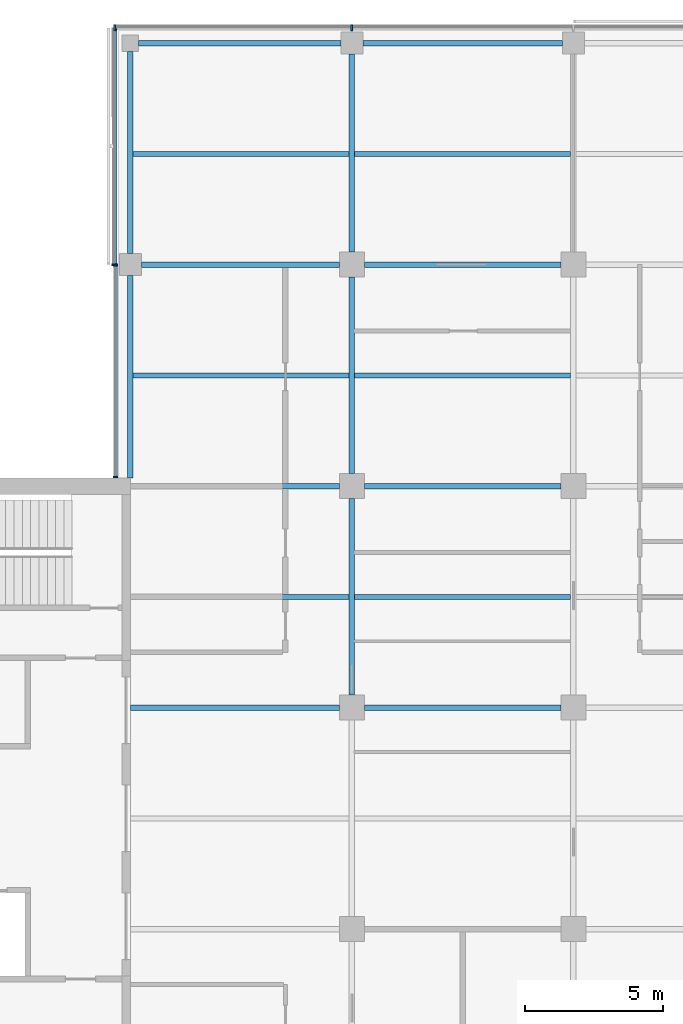
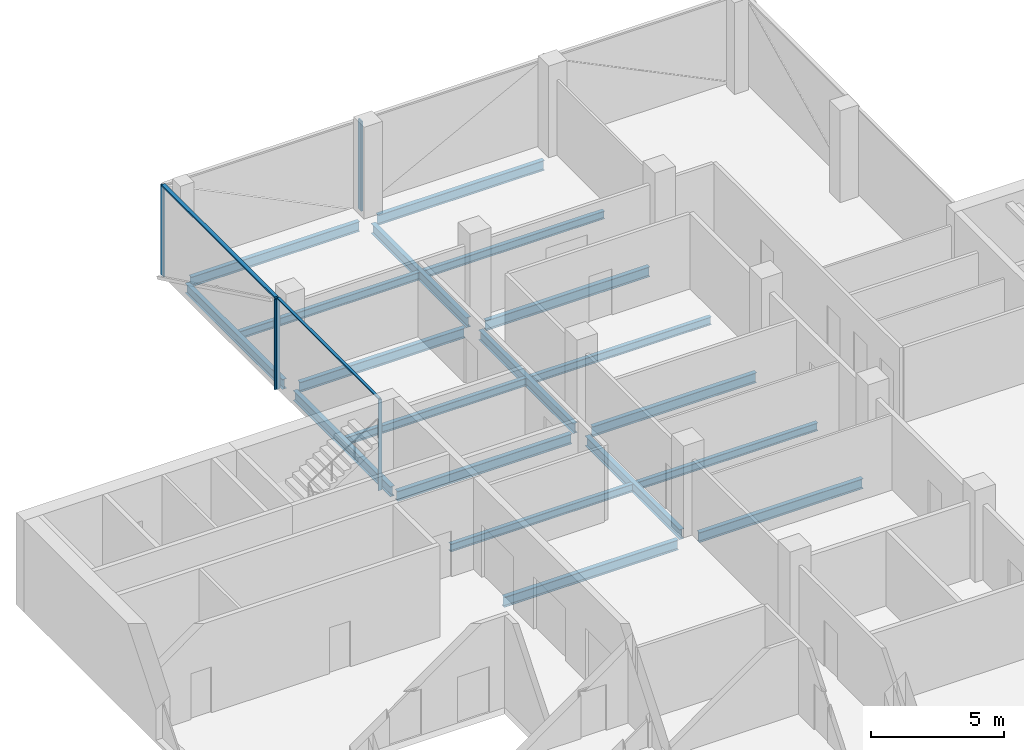
# One storey, part 5 of 15: 19 beams, 7 members, 3 elements without a shape of their own.
"""IFC4 building model written with IfcOpenShell, lengths in metres."""

from ifc_helpers import new_model, si_unit, direction, frame, origin, origin_2d, place, context, subcontext, project, spatial, rectangle, i_section, extrude, material, material_profile, profile_set, type_object, element, aggregate, save


model = new_model("IFC4")

# Units and contexts
model_context = context("Model", 3, precision=1e-05, world=origin(), true_north=direction((0.0, 1.0)))
body_context = subcontext(model_context, "Body", "Model", "MODEL_VIEW")
ifc_project = project(units=[si_unit("LENGTHUNIT", "METRE"), si_unit("AREAUNIT", "SQUARE_METRE"), si_unit("VOLUMEUNIT", "CUBIC_METRE"), si_unit("PLANEANGLEUNIT", "RADIAN"), si_unit("MASSUNIT", "GRAM", prefix="KILO")], contexts=[model_context])

# Site, building, storey
site_placement = place(None, origin())
site = spatial("IfcSite", under=ifc_project, at=site_placement, CompositionType="ELEMENT")
building_placement = place(site_placement, origin())
building = spatial("IfcBuilding", under=site, at=building_placement, Name="Crosswind Convention Tower", CompositionType="ELEMENT")
storey_placement = place(building_placement, frame((0.0, 0.0, 220.89990234375)))
storey = spatial("IfcBuildingStorey", under=building, at=storey_placement, Name="L47", CompositionType="ELEMENT", Elevation=220.89990234375)

# Beams
ifc_material_1 = material(Name="Steel S355", Category="steel")
ifc_material_profile_1 = material_profile(ifc_material_1, i_section(OverallWidth=0.18994140625, OverallDepth=0.45361328125, WebThickness=0.008544921875, FlangeThickness=0.0126953125, FilletRadius=0.01025390625, at=origin_2d()), Name="UB 457x191x67")
ifc_profile_set_1 = profile_set([ifc_material_profile_1], Name="Steel S355")
beam_type_1 = type_object("IfcBeamType", Name="Edge beam UB 457x191x67", PredefinedType="SPANDREL", material=ifc_profile_set_1)
for number, where, z_axis, x_axis, name in (
    (1, (113.0, 112.300048828125, -0.526611328125), (0.0, 1.0, 0.0), (-1.0, 0.0, 0.0), "B16 L47 edge beam 3"),
    (2, (113.0, 120.39990234375, -0.526611328125), (0.0, 1.0, 0.0), (-1.0, 0.0, 0.0), "B16 L47 edge beam 4"),
    (3, (113.300048828125, 128.0, -0.526611328125), (1.0, 0.0, 0.0), (0.0, 1.0, 0.0), "B16 L47 edge beam 6"),
):
    element("IfcBeam", number, at=place(storey_placement, frame(where, z_axis=z_axis, x_axis=x_axis)), inside=storey, type_object=beam_type_1, Name=name, PredefinedType="SPANDREL", context=body_context, shape_type="SweptSolid", body=[
        extrude(i_section(OverallWidth=0.18994140625, OverallDepth=0.45361328125, WebThickness=0.008544921875, FlangeThickness=0.0126953125, FilletRadius=0.01025390625, at=origin_2d()), origin(), (0.0, 0.0, 1.0), 7.300048828125),
    ])
beam_1_placement = place(storey_placement, frame((121.39990234375, 128.0, -0.526611328125), z_axis=(1.0, 0.0, 0.0), x_axis=(0.0, 1.0, 0.0)))
element("IfcBeam", 4, at=beam_1_placement, inside=storey, type_object=beam_type_1, Name="B16 L47 edge beam 8", PredefinedType="SPANDREL", context=body_context, shape_type="SweptSolid", body=[
    extrude(i_section(OverallWidth=0.18994140625, OverallDepth=0.45361328125, WebThickness=0.008544921875, FlangeThickness=0.0126953125, FilletRadius=0.01025390625, at=origin_2d()), origin(), (0.0, 0.0, 1.0), 7.2001953125),
])
ifc_material_profile_2 = material_profile(ifc_material_1, i_section(OverallWidth=0.1904296875, OverallDepth=0.457275390625, WebThickness=0.009033203125, FlangeThickness=0.014404296875, FilletRadius=0.01025390625, at=origin_2d()), Name="UB 457x191x75")
ifc_profile_set_2 = profile_set([ifc_material_profile_2], Name="Steel S355")
beam_type_2 = type_object("IfcBeamType", Name="Girder UB 457x191x75", PredefinedType="BEAM", material=ifc_profile_set_2)
beam_2_placement = place(storey_placement, frame((113.39990234375, 120.0, -0.528564453125), z_axis=(1.0, 0.0, 0.0), x_axis=(0.0, 1.0, 0.0)))
element("IfcBeam", 5, at=beam_2_placement, inside=storey, type_object=beam_type_2, Name="B2 L47 girder 2", PredefinedType="BEAM", context=body_context, shape_type="SweptSolid", body=[
    extrude(i_section(OverallWidth=0.1904296875, OverallDepth=0.457275390625, WebThickness=0.009033203125, FlangeThickness=0.014404296875, FilletRadius=0.01025390625, at=origin_2d()), origin(), (0.0, 0.0, 1.0), 7.150146484375),
])
for number, where, z_axis, x_axis, name in (
    (6, (121.0, 104.449951171875, -0.528564453125), (0.0, 1.0, 0.0), (-1.0, 0.0, 0.0), "B2 L47 girder 7"),
    (7, (121.0, 112.449951171875, -0.528564453125), (0.0, 1.0, 0.0), (-1.0, 0.0, 0.0), "B2 L47 girder 8"),
):
    element("IfcBeam", number, at=place(storey_placement, frame(where, z_axis=z_axis, x_axis=x_axis)), inside=storey, type_object=beam_type_2, Name=name, PredefinedType="BEAM", context=body_context, shape_type="SweptSolid", body=[
        extrude(i_section(OverallWidth=0.1904296875, OverallDepth=0.457275390625, WebThickness=0.009033203125, FlangeThickness=0.014404296875, FilletRadius=0.01025390625, at=origin_2d()), origin(), (0.0, 0.0, 1.0), 7.10009765625),
    ])
beam_3_placement = place(storey_placement, frame((121.0, 120.449951171875, -0.528564453125), z_axis=(0.0, 1.0, 0.0), x_axis=(-1.0, 0.0, 0.0)))
element("IfcBeam", 8, at=beam_3_placement, inside=storey, type_object=beam_type_2, Name="B2 L47 girder 9", PredefinedType="BEAM", context=body_context, shape_type="SweptSolid", body=[
    extrude(i_section(OverallWidth=0.1904296875, OverallDepth=0.457275390625, WebThickness=0.009033203125, FlangeThickness=0.014404296875, FilletRadius=0.01025390625, at=origin_2d()), origin(), (0.0, 0.0, 1.0), 7.150146484375),
])
for number, where, z_axis, x_axis, name in (
    (9, (121.449951171875, 104.0, -0.528564453125), (1.0, 0.0, 0.0), (0.0, 1.0, 0.0), "B2 L47 girder 13"),
    (10, (121.449951171875, 112.0, -0.528564453125), (1.0, 0.0, 0.0), (0.0, 1.0, 0.0), "B2 L47 girder 14"),
    (11, (121.449951171875, 120.0, -0.528564453125), (1.0, 0.0, 0.0), (0.0, 1.0, 0.0), "B2 L47 girder 15"),
):
    element("IfcBeam", number, at=place(storey_placement, frame(where, z_axis=z_axis, x_axis=x_axis)), inside=storey, type_object=beam_type_2, Name=name, PredefinedType="BEAM", context=body_context, shape_type="SweptSolid", body=[
        extrude(i_section(OverallWidth=0.1904296875, OverallDepth=0.457275390625, WebThickness=0.009033203125, FlangeThickness=0.014404296875, FilletRadius=0.01025390625, at=origin_2d()), origin(), (0.0, 0.0, 1.0), 7.10009765625),
    ])
ifc_material_profile_3 = material_profile(ifc_material_1, i_section(OverallWidth=0.19140625, OverallDepth=0.460205078125, WebThickness=0.010009765625, FlangeThickness=0.01611328125, FilletRadius=0.01025390625, at=origin_2d()), Name="UB 457x191x82")
ifc_profile_set_3 = profile_set([ifc_material_profile_3], Name="Steel S355")
beam_type_3 = type_object("IfcBeamType", Name="Girder at core wall UB 457x191x82", PredefinedType="BEAM", material=ifc_profile_set_3)
for number, where, z_axis, x_axis, name in (
    (12, (113.0, 104.0, -0.530029296875), (1.0, 0.0, 0.0), (0.0, 1.0, 0.0), "B23 L47 girder at core wall 3"),
    (13, (113.0, 112.0, -0.530029296875), (1.0, 0.0, 0.0), (0.0, 1.0, 0.0), "B23 L47 girder at core wall 4"),
):
    element("IfcBeam", number, at=place(storey_placement, frame(where, z_axis=z_axis, x_axis=x_axis)), inside=storey, type_object=beam_type_3, Name=name, PredefinedType="BEAM", context=body_context, shape_type="SweptSolid", body=[
        extrude(i_section(OverallWidth=0.19140625, OverallDepth=0.460205078125, WebThickness=0.010009765625, FlangeThickness=0.01611328125, FilletRadius=0.01025390625, at=origin_2d()), origin(), (0.0, 0.0, 1.0), 7.550048828125),
    ])

# Curtain wall, members
ifc_material_2 = material(Name="Aluminium unitised curtain wall", Category="aluminium")
curtain_wall_type_1 = type_object("IfcCurtainWallType", Name="CORE END SLOT WALL 160", PredefinedType="USERDEFINED", material=ifc_material_2)
curtain_wall_1_placement = place(storey_placement, origin())
curtain_wall_1 = element("IfcCurtainWall", 14, at=curtain_wall_1_placement, inside=storey, type_object=curtain_wall_type_1, Name="CW6 L47 N-W.1-2 slot", ObjectType="UNITISED", PredefinedType="USERDEFINED")
ifc_material_3 = material(Name="Aluminium mullion", Category="aluminium")
ifc_material_profile_4 = material_profile(ifc_material_3, rectangle(XDim=0.159912109375, YDim=0.050048828125, at=origin_2d()), Name="AL 160X50")
ifc_profile_set_4 = profile_set([ifc_material_profile_4], Name="Aluminium mullion")
member_type_1 = type_object("IfcMemberType", Name="MULLION 50X160", PredefinedType="MULLION", material=ifc_profile_set_4)
member_1_placement = place(storey_placement, frame((112.469970703125, 119.97509765625, -0.2998046875), z_axis=(0.0, 0.0, 1.0), x_axis=(-1.0, 0.0, 0.0)))
member_1 = element("IfcMember", 15, at=member_1_placement, type_object=member_type_1, Name="CW6 mullion 1", PredefinedType="MULLION", context=body_context, shape_type="SweptSolid", body=[
    extrude(rectangle(XDim=0.159912109375, YDim=0.050048828125, at=origin_2d()), origin(), (0.0, 0.0, 1.0), 4.14990234375),
])
member_2_placement = place(storey_placement, frame((112.469970703125, 112.324951171875, -0.2998046875), z_axis=(0.0, 0.0, 1.0), x_axis=(-1.0, 0.0, 0.0)))
member_2 = element("IfcMember", 16, at=member_2_placement, type_object=member_type_1, Name="CW6 mullion 2", PredefinedType="MULLION", context=body_context, shape_type="SweptSolid", body=[
    extrude(rectangle(XDim=0.159912109375, YDim=0.050048828125, at=origin_2d()), origin(), (0.0, 0.0, 1.0), 4.14990234375),
])

curtain_wall_type_2 = type_object("IfcCurtainWallType", Name="OFFICE UNITISED WALL 220", PredefinedType="USERDEFINED", material=ifc_material_2)
curtain_wall_2_placement = place(storey_placement, origin())
curtain_wall_2 = element("IfcCurtainWall", 17, at=curtain_wall_2_placement, inside=storey, type_object=curtain_wall_type_2, Name="CW3 L47 N-TIP 1", ObjectType="UNITISED", PredefinedType="USERDEFINED")
ifc_material_profile_5 = material_profile(ifc_material_3, rectangle(XDim=0.219970703125, YDim=0.070068359375, at=origin_2d()), Name="AL 220X70")
ifc_profile_set_5 = profile_set([ifc_material_profile_5], Name="Aluminium mullion")
member_type_2 = type_object("IfcMemberType", Name="MULLION 70X220", PredefinedType="MULLION", material=ifc_profile_set_5)
member_3_placement = place(storey_placement, frame((121.0, 128.56005859375, -0.2998046875), z_axis=(0.0, 0.0, 1.0), x_axis=(0.0, 1.0, 0.0)))
member_3 = element("IfcMember", 18, at=member_3_placement, type_object=member_type_2, Name="CW3 mullion 3", PredefinedType="MULLION", context=body_context, shape_type="SweptSolid", body=[
    extrude(rectangle(XDim=0.219970703125, YDim=0.070068359375, at=origin_2d()), origin(), (0.0, 0.0, 1.0), 4.1298828125),
])
member_4_placement = place(storey_placement, frame((112.43994140625, 128.56005859375, -0.2998046875), z_axis=(0.0, 0.0, 1.0), x_axis=(0.0, 1.0, 0.0)))
member_4 = element("IfcMember", 19, at=member_4_placement, type_object=member_type_2, Name="CW3 mullion 4", PredefinedType="MULLION", context=body_context, shape_type="SweptSolid", body=[
    extrude(rectangle(XDim=0.219970703125, YDim=0.070068359375, at=origin_2d()), origin(), (0.0, 0.0, 1.0), 4.1298828125),
])
aggregate(curtain_wall_2, [member_3, member_4])

# Curtain wall, member
curtain_wall_3_placement = place(storey_placement, origin())
curtain_wall_3 = element("IfcCurtainWall", 20, at=curtain_wall_3_placement, inside=storey, type_object=curtain_wall_type_2, Name="CW3 L47 N-W 1", ObjectType="UNITISED", PredefinedType="USERDEFINED")
member_5_placement = place(storey_placement, frame((112.43994140625, 120.0, -0.2998046875), z_axis=(0.0, 0.0, 1.0), x_axis=(-1.0, 0.0, 0.0)))
member_5 = element("IfcMember", 21, at=member_5_placement, type_object=member_type_2, Name="CW3 mullion 2", PredefinedType="MULLION", context=body_context, shape_type="SweptSolid", body=[
    extrude(rectangle(XDim=0.219970703125, YDim=0.070068359375, at=origin_2d()), origin(), (0.0, 0.0, 1.0), 4.1298828125),
])

# Beams
ifc_material_profile_6 = material_profile(ifc_material_1, i_section(OverallWidth=0.172119140625, OverallDepth=0.358642578125, WebThickness=0.008056640625, FlangeThickness=0.012939453125, FilletRadius=0.01025390625, at=origin_2d()), Name="UB 356x171x57")
ifc_profile_set_6 = profile_set([ifc_material_profile_6], Name="Steel S355")
beam_type_4 = type_object("IfcBeamType", Name="Secondary beam UB 356x171x57", PredefinedType="JOIST", material=ifc_profile_set_6)
beam_4_placement = place(storey_placement, frame((113.0, 108.0, -0.479248046875), z_axis=(1.0, 0.0, 0.0), x_axis=(0.0, 1.0, 0.0)))
element("IfcBeam", 22, at=beam_4_placement, inside=storey, type_object=beam_type_4, Name="B9 L47 secondary beam 3", PredefinedType="JOIST", context=body_context, shape_type="SweptSolid", body=[
    extrude(i_section(OverallWidth=0.172119140625, OverallDepth=0.358642578125, WebThickness=0.008056640625, FlangeThickness=0.012939453125, FilletRadius=0.01025390625, at=origin_2d()), origin(), (0.0, 0.0, 1.0), 7.90478515625),
])
for number, where, z_axis, x_axis, name in (
    (23, (113.094970703125, 116.0, -0.479248046875), (1.0, 0.0, 0.0), (0.0, 1.0, 0.0), "B9 L47 secondary beam 6"),
    (24, (113.094970703125, 124.0, -0.479248046875), (1.0, 0.0, 0.0), (0.0, 1.0, 0.0), "B9 L47 secondary beam 7"),
):
    element("IfcBeam", number, at=place(storey_placement, frame(where, z_axis=z_axis, x_axis=x_axis)), inside=storey, type_object=beam_type_4, Name=name, PredefinedType="JOIST", context=body_context, shape_type="SweptSolid", body=[
        extrude(i_section(OverallWidth=0.172119140625, OverallDepth=0.358642578125, WebThickness=0.008056640625, FlangeThickness=0.012939453125, FilletRadius=0.01025390625, at=origin_2d()), origin(), (0.0, 0.0, 1.0), 7.809814453125),
    ])
for number, where, z_axis, x_axis, name in (
    (25, (121.09521484375, 108.0, -0.479248046875), (1.0, 0.0, 0.0), (0.0, 1.0, 0.0), "B9 L47 secondary beam 12"),
    (26, (121.09521484375, 116.0, -0.479248046875), (1.0, 0.0, 0.0), (0.0, 1.0, 0.0), "B9 L47 secondary beam 13"),
    (27, (121.09521484375, 124.0, -0.479248046875), (1.0, 0.0, 0.0), (0.0, 1.0, 0.0), "B9 L47 secondary beam 14"),
):
    element("IfcBeam", number, at=place(storey_placement, frame(where, z_axis=z_axis, x_axis=x_axis)), inside=storey, type_object=beam_type_4, Name=name, PredefinedType="JOIST", context=body_context, shape_type="SweptSolid", body=[
        extrude(i_section(OverallWidth=0.172119140625, OverallDepth=0.358642578125, WebThickness=0.008056640625, FlangeThickness=0.012939453125, FilletRadius=0.01025390625, at=origin_2d()), origin(), (0.0, 0.0, 1.0), 7.8095703125),
    ])

# Member
ifc_material_4 = material(Name="Aluminium transom", Category="aluminium")
ifc_material_profile_7 = material_profile(ifc_material_4, rectangle(XDim=0.1201171875, YDim=0.050048828125, at=origin_2d()), Name="AL 120X50")
ifc_profile_set_7 = profile_set([ifc_material_profile_7], Name="Aluminium transom")
member_type_3 = type_object("IfcMemberType", Name="TRANSOM 50X120", PredefinedType="USERDEFINED", material=ifc_profile_set_7)
member_6_placement = place(storey_placement, frame((112.469970703125, 119.949951171875, 3.875), z_axis=(0.0, -1.0, 0.0), x_axis=(1.0, 0.0, 0.0)))
member_6 = element("IfcMember", 28, at=member_6_placement, type_object=member_type_3, Name="CW6 transom", ObjectType="TRANSOM", PredefinedType="USERDEFINED", context=body_context, shape_type="SweptSolid", body=[
    extrude(rectangle(XDim=0.1201171875, YDim=0.050048828125, at=origin_2d()), origin(), (0.0, 0.0, 1.0), 7.599853515625),
])

aggregate(curtain_wall_1, [member_1, member_2, member_6])

ifc_material_profile_8 = material_profile(ifc_material_4, rectangle(XDim=0.159912109375, YDim=0.070068359375, at=origin_2d()), Name="AL 160X70")
ifc_profile_set_8 = profile_set([ifc_material_profile_8], Name="Aluminium transom")
member_type_4 = type_object("IfcMemberType", Name="TRANSOM 70X160", PredefinedType="USERDEFINED", material=ifc_profile_set_8)
member_7_placement = place(storey_placement, frame((112.43994140625, 128.52490234375, 3.864990234375), z_axis=(0.0, -1.0, 0.0), x_axis=(1.0, 0.0, 0.0)))
member_7 = element("IfcMember", 29, at=member_7_placement, type_object=member_type_4, Name="CW3 transom", ObjectType="TRANSOM", PredefinedType="USERDEFINED", context=body_context, shape_type="SweptSolid", body=[
    extrude(rectangle(XDim=0.159912109375, YDim=0.070068359375, at=origin_2d()), origin(), (0.0, 0.0, 1.0), 8.489990234375),
])

aggregate(curtain_wall_3, [member_5, member_7])

save(model, "model.ifc")
